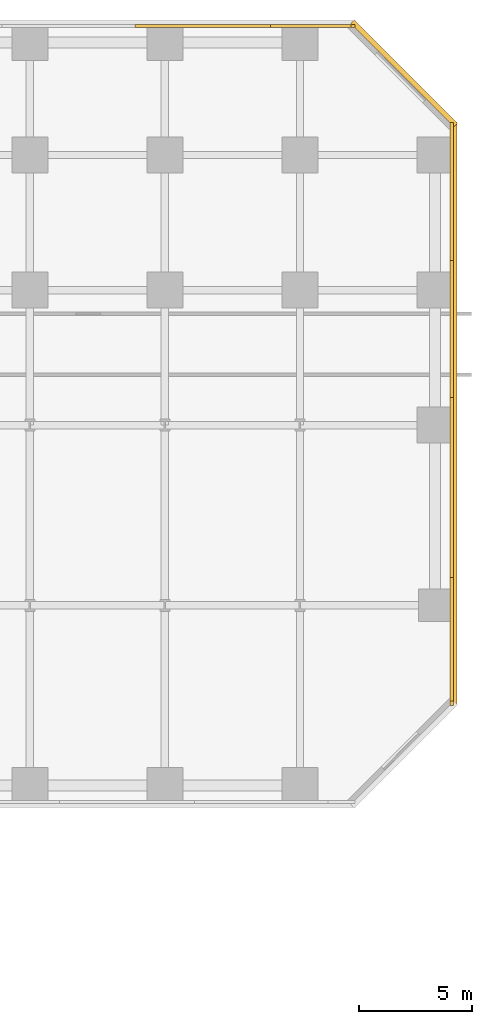
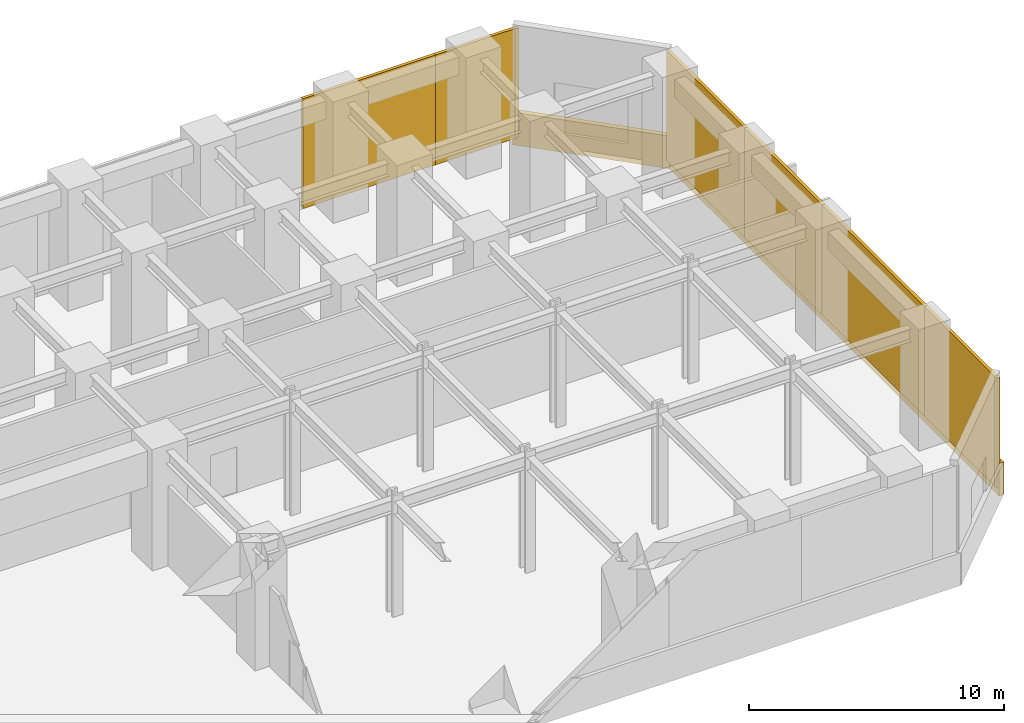
# One storey, part 12 of 12: 10 coverings.
"""IFC4 building model written with IfcOpenShell, lengths in metres."""

from ifc_helpers import new_model, si_unit, direction, frame, origin, origin_2d, place, context, subcontext, project, spatial, rectangle, extrude, source, transform, mapped, material, layer, layer_set, type_object, element, save


model = new_model("IFC4")

# Units and contexts
model_context = context("Model", 3, precision=1e-05, world=origin(), true_north=direction((0.0, 1.0)))
body_context = subcontext(model_context, "Body", "Model", "MODEL_VIEW")
ifc_project = project(units=[si_unit("LENGTHUNIT", "METRE"), si_unit("AREAUNIT", "SQUARE_METRE"), si_unit("VOLUMEUNIT", "CUBIC_METRE"), si_unit("PLANEANGLEUNIT", "RADIAN"), si_unit("MASSUNIT", "GRAM", prefix="KILO")], contexts=[model_context])

# Site, building, storey
site_placement = place(None, origin())
site = spatial("IfcSite", under=ifc_project, at=site_placement, CompositionType="ELEMENT")
building_placement = place(site_placement, origin())
building = spatial("IfcBuilding", under=site, at=building_placement, Name="Torre Montelarca", CompositionType="ELEMENT")
storey_placement = place(building_placement, frame((0.0, 0.0, 22.199951171875)))
storey = spatial("IfcBuildingStorey", under=building, at=storey_placement, Name="L05", CompositionType="ELEMENT", Elevation=22.199951171875)

# Coverings
ifc_material = material(Name="Bush-hammered warm white precast concrete C45/55", Category="concrete")
ifc_layer = layer(ifc_material, 0.139892578125, Name="Bush-hammered warm white precast concrete C45/55", Category="concrete")
ifc_layer_set = layer_set([ifc_layer], Name="Bush-hammered warm white precast concrete C45/55")
covering_type = type_object("IfcCoveringType", Name="COV-TRAY-CLAD", PredefinedType="CLADDING", material=ifc_layer_set)
shared_shape_1 = source(origin(), body_context, "Body", "SweptSolid", [
    extrude(rectangle(XDim=6.48388671875, YDim=0.219970703125, at=origin_2d()), origin(), (0.0, 0.0, 1.0), 1.56005859375),
])
covering_1_placement = place(storey_placement, frame((76.62890625, 55.62890625, -0.39990234375), z_axis=(0.0, 0.0, 1.0), x_axis=(-0.707106781187, 0.707106781187, 0.0)))
element("IfcCovering", 1, at=covering_1_placement, inside=storey, type_object=covering_type, Name="L05 Architectural White Spandrel Tray Band PODBOT-07", PredefinedType="CLADDING", context=body_context, shape_type="MappedRepresentation", body=[
    mapped(shared_shape_1, transform((0.0, 0.0, 0.0), scale=1.0)),
])
shared_shape_2 = source(origin(), body_context, "Body", "SweptSolid", [
    extrude(rectangle(XDim=25.919921875, YDim=0.219970703125, at=origin_2d()), origin(), (0.0, 0.0, 1.0), 1.56005859375),
])
covering_2_placement = place(storey_placement, frame((78.8701171875, 40.5, -0.39990234375), z_axis=(0.0, 0.0, 1.0), x_axis=(0.0, 1.0, 0.0)))
element("IfcCovering", 2, at=covering_2_placement, inside=storey, type_object=covering_type, Name="L05 Architectural White Spandrel Tray Band PODBOT-06", PredefinedType="CLADDING", context=body_context, shape_type="MappedRepresentation", body=[
    mapped(shared_shape_2, transform((0.0, 0.0, 0.0), scale=1.0)),
])
shared_shape_3 = source(origin(), body_context, "Body", "SweptSolid", [
    extrude(rectangle(XDim=0.179931640625, YDim=0.139892578125, at=origin_2d()), origin(), (0.0, 0.0, 1.0), 5.25),
])
for number, where, z_axis, x_axis, name in (
    (3, (78.739990234375, 27.64990234375, 0.0), (0.0, 0.0, 1.0), (0.0, 1.0, 0.0), "L05 Architectural Column Pier Cladding E06-1"),
    (4, (74.35009765625, 57.739990234375, 0.0), (0.0, 0.0, 1.0), (-1.0, 0.0, 0.0), "L05 Architectural Column Pier Cladding E08-1"),
):
    element("IfcCovering", number, at=place(storey_placement, frame(where, z_axis=z_axis, x_axis=x_axis)), inside=storey, type_object=covering_type, Name=name, PredefinedType="CLADDING", context=body_context, shape_type="MappedRepresentation", body=[
        mapped(shared_shape_3, transform((0.0, 0.0, 0.0), scale=1.0)),
    ])
shared_shape_4 = source(origin(), body_context, "Body", "SweptSolid", [
    extrude(rectangle(XDim=6.080078125, YDim=0.139892578125, at=origin_2d()), origin(), (0.0, 0.0, 1.0), 5.25),
])
for number, where, z_axis, x_axis, name in (
    (5, (78.739990234375, 44.280029296875, 0.0), (0.0, 0.0, 1.0), (0.0, 1.0, 0.0), "L05 Architectural Column Pier Cladding E06-4"),
    (6, (67.719970703125, 57.739990234375, 0.0), (0.0, 0.0, 1.0), (-1.0, 0.0, 0.0), "L05 Architectural Column Pier Cladding E08-3"),
):
    element("IfcCovering", number, at=place(storey_placement, frame(where, z_axis=z_axis, x_axis=x_axis)), inside=storey, type_object=covering_type, Name=name, PredefinedType="CLADDING", context=body_context, shape_type="MappedRepresentation", body=[
        mapped(shared_shape_4, transform((0.0, 0.0, 0.0), scale=1.0)),
    ])
shared_shape_5 = source(origin(), body_context, "Body", "SweptSolid", [
    extrude(rectangle(XDim=5.5849609375, YDim=0.139892578125, at=origin_2d()), origin(), (0.0, 0.0, 1.0), 5.25),
])
covering_3_placement = place(storey_placement, frame((78.739990234375, 30.452392578125, 0.0), z_axis=(0.0, 0.0, 1.0), x_axis=(0.0, 1.0, 0.0)))
element("IfcCovering", 7, at=covering_3_placement, inside=storey, type_object=covering_type, Name="L05 Architectural Column Pier Cladding E06-2", PredefinedType="CLADDING", context=body_context, shape_type="MappedRepresentation", body=[
    mapped(shared_shape_5, transform((0.0, 0.0, 0.0), scale=1.0)),
])
shared_shape_6 = source(origin(), body_context, "Body", "SweptSolid", [
    extrude(rectangle(XDim=8.155029296875, YDim=0.139892578125, at=origin_2d()), origin(), (0.0, 0.0, 1.0), 5.25),
])
covering_4_placement = place(storey_placement, frame((78.739990234375, 37.242431640625, 0.0), z_axis=(0.0, 0.0, 1.0), x_axis=(0.0, 1.0, 0.0)))
element("IfcCovering", 8, at=covering_4_placement, inside=storey, type_object=covering_type, Name="L05 Architectural Column Pier Cladding E06-3", PredefinedType="CLADDING", context=body_context, shape_type="MappedRepresentation", body=[
    mapped(shared_shape_6, transform((0.0, 0.0, 0.0), scale=1.0)),
])
shared_shape_7 = source(origin(), body_context, "Body", "SweptSolid", [
    extrude(rectangle(XDim=6.199951171875, YDim=0.139892578125, at=origin_2d()), origin(), (0.0, 0.0, 1.0), 5.25),
])
covering_5_placement = place(storey_placement, frame((78.739990234375, 50.340087890625, 0.0), z_axis=(0.0, 0.0, 1.0), x_axis=(0.0, 1.0, 0.0)))
element("IfcCovering", 9, at=covering_5_placement, inside=storey, type_object=covering_type, Name="L05 Architectural Column Pier Cladding E06-5", PredefinedType="CLADDING", context=body_context, shape_type="MappedRepresentation", body=[
    mapped(shared_shape_7, transform((0.0, 0.0, 0.0), scale=1.0)),
])
shared_shape_8 = source(origin(), body_context, "Body", "SweptSolid", [
    extrude(rectangle(XDim=3.659912109375, YDim=0.139892578125, at=origin_2d()), origin(), (0.0, 0.0, 1.0), 5.25),
])
covering_6_placement = place(storey_placement, frame((72.510009765625, 57.739990234375, 0.0), z_axis=(0.0, 0.0, 1.0), x_axis=(-1.0, 0.0, 0.0)))
element("IfcCovering", 10, at=covering_6_placement, inside=storey, type_object=covering_type, Name="L05 Architectural Column Pier Cladding E08-2", PredefinedType="CLADDING", context=body_context, shape_type="MappedRepresentation", body=[
    mapped(shared_shape_8, transform((0.0, 0.0, 0.0), scale=1.0)),
])

save(model, "model.ifc")
